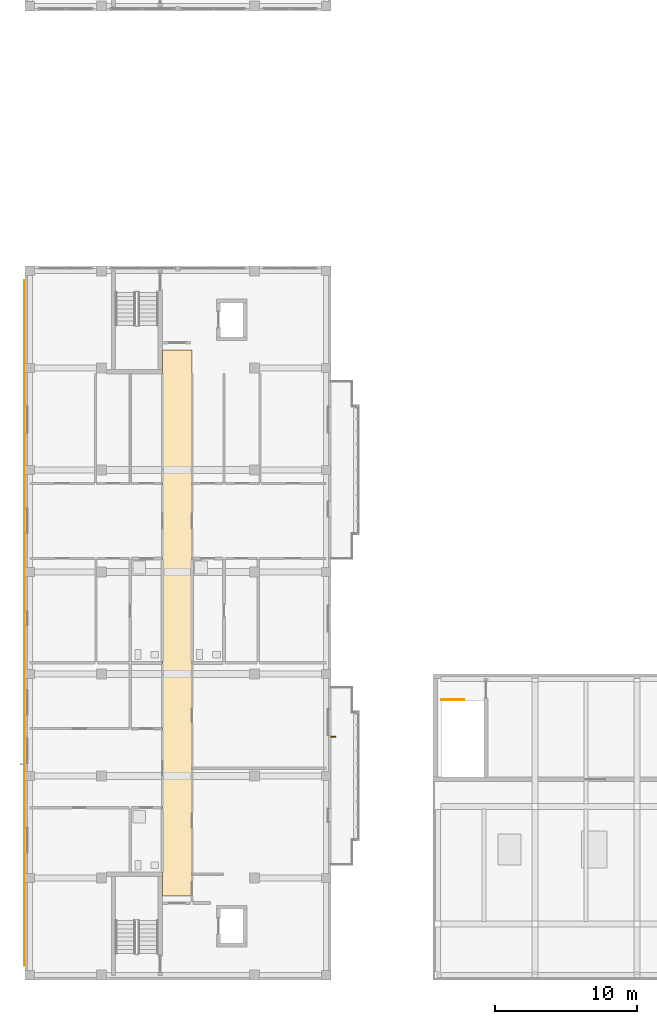
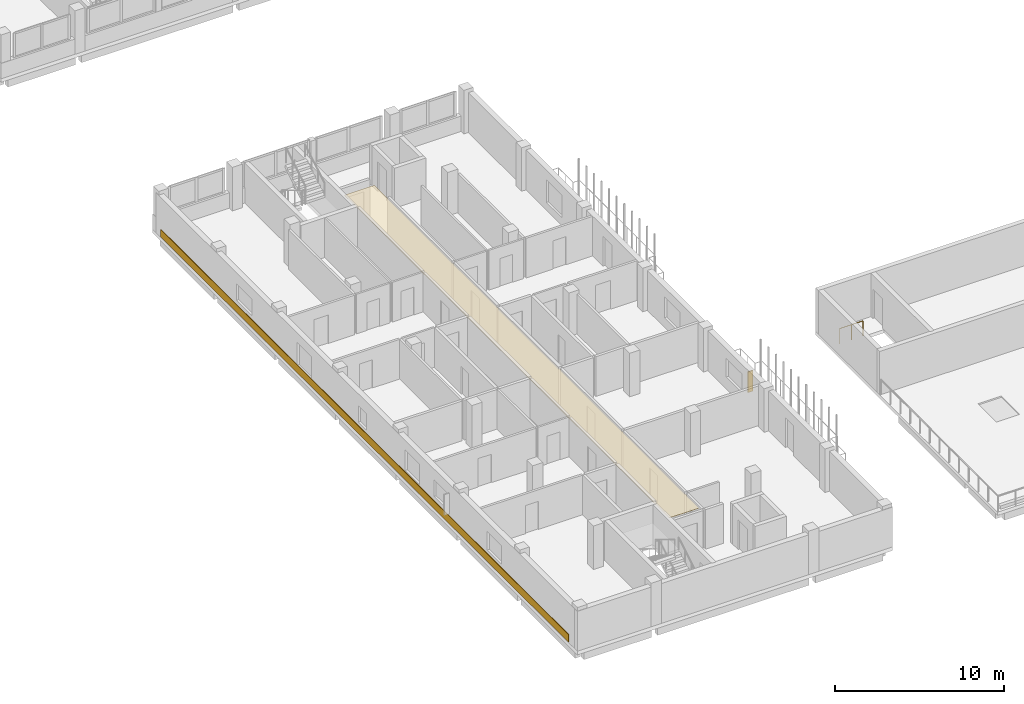
# One storey, part 43 of 56: 2 coverings, 1 railing, 1 shading device.
"""IFC4 building model written with IfcOpenShell, lengths in metres."""

from ifc_helpers import new_model, si_unit, derived_unit, direction, frame, origin, origin_2d, place, context, subcontext, project, spatial, polyline, rectangle, circle, outline, extrude, material, layer, layer_set, type_object, element, save


model = new_model("IFC4")

# Units and contexts
model_context = context("Model", 3, precision=1e-05, world=origin(), true_north=direction((0.0, 1.0)))
body_context = subcontext(model_context, "Body", "Model", "MODEL_VIEW")
ifc_project = project(units=[si_unit("LENGTHUNIT", "METRE"), si_unit("AREAUNIT", "SQUARE_METRE"), si_unit("VOLUMEUNIT", "CUBIC_METRE"), si_unit("PLANEANGLEUNIT", "RADIAN"), si_unit("MASSUNIT", "GRAM", prefix="KILO"), derived_unit("THERMALTRANSMITTANCEUNIT", [(si_unit("MASSUNIT", "GRAM", prefix="KILO"), 1), (si_unit("TIMEUNIT", "SECOND"), -3), (si_unit("THERMODYNAMICTEMPERATUREUNIT", "KELVIN"), -1)])], contexts=[model_context])

# Site, building, storey
site_placement = place(None, origin())
site = spatial("IfcSite", under=ifc_project, at=site_placement, CompositionType="ELEMENT")
building_placement = place(site_placement, origin())
building = spatial("IfcBuilding", under=site, at=building_placement, Name="Ochrekiln Boulevard Commons", CompositionType="ELEMENT")
storey_placement = place(building_placement, frame((0.0, 0.0, 12.074951171875)))
storey = spatial("IfcBuildingStorey", under=building, at=storey_placement, Name="L03", CompositionType="ELEMENT", Elevation=12.074951171875)

# Coverings
ifc_material_1 = material(Name="Mineral-fibre acoustic ceiling tile")
ifc_layer_1 = layer(ifc_material_1, 0.02490234375)
ifc_layer_set_1 = layer_set([ifc_layer_1], Name="Mineral-fibre acoustic ceiling tile")
covering_type_1 = type_object("IfcCoveringType", Name="COV-CEIL-AC", PredefinedType="CEILING", material=ifc_layer_set_1)
covering_1_placement = place(storey_placement, frame((0.0, 0.0, 2.650146484375)))
element("IfcCovering", 1, at=covering_1_placement, inside=storey, type_object=covering_type_1, Name="L03 Acoustic Corridor Ceiling 42", PredefinedType="CEILING", context=body_context, shape_type="SweptSolid", body=[
    extrude(outline(polyline([(9.719970703125, 5.919921875), (11.780029296875, 5.919921875), (11.780029296875, 44.47998046875), (9.719970703125, 44.47998046875), (9.719970703125, 5.919921875)])), origin(), (0.0, 0.0, 1.0), 0.02490234375),
])
ifc_material_2 = material(Name="Glazed architectural terracotta ASTM C1405", Category="masonry")
ifc_layer_2 = layer(ifc_material_2, 0.0400390625)
ifc_layer_set_2 = layer_set([ifc_layer_2], Name="Glazed architectural terracotta ASTM C1405")
covering_type_2 = type_object("IfcCoveringType", Name="COV-CLAD-TERRA", PredefinedType="CLADDING", material=ifc_layer_set_2)
covering_2_placement = place(storey_placement, frame((-0.02001953125, 25.199951171875, 0.0751953125), z_axis=(0.0, 0.0, 1.0), x_axis=(1.0, 0.0, 0.0)))
element("IfcCovering", 2, at=covering_2_placement, inside=storey, type_object=covering_type_2, Name="Block D L03 Glazed Terracotta Spandrel Band", PredefinedType="CLADDING", context=body_context, shape_type="SweptSolid", body=[
    extrude(rectangle(XDim=0.0400390625, YDim=48.39990234375, at=origin_2d()), origin(), (0.0, 0.0, 1.0), 0.550048828125),
])

# Railing
ifc_material_3 = material(Name="Brushed stainless steel 316 tubular railing", Category="steel")
railing_type = type_object("IfcRailingType", Name="RLG-STR-1120", PredefinedType="BALUSTRADE", material=ifc_material_3)
railing_placement = place(storey_placement, frame((29.39990234375, 19.780029296875, 0.0)))
element("IfcRailing", 3, at=railing_placement, inside=storey, type_object=railing_type, Name="L03 ST-W1 top well guard 1", PredefinedType="BALUSTRADE", context=body_context, shape_type="SweptSolid", body=[
    extrude(circle(Radius=0.02392578125, at=origin_2d()), frame((0.0, 0.0, 1.09619140625), z_axis=(1.0, 0.0, 0.0), x_axis=(0.0, 1.0, 0.0)), (0.0, 0.0, 1.0), 1.60009765625),
    extrude(circle(Radius=0.02099609375, at=origin_2d()), origin(), (0.0, 0.0, 1.0), 1.072021484375),
    extrude(circle(Radius=0.02099609375, at=origin_2d()), frame((0.800048828125, 0.0, 0.0)), (0.0, 0.0, 1.0), 1.072021484375),
    extrude(circle(Radius=0.02099609375, at=origin_2d()), frame((1.60009765625, 0.0, 0.0)), (0.0, 0.0, 1.0), 1.072021484375),
])

# Shading device
shading_device_type = type_object("IfcShadingDeviceType", Name="SHD-FIN-TERRA", PredefinedType="JALOUSIE", material=ifc_material_2)
shading_device_placement = place(storey_placement, frame((21.77001953125, 17.177978515625, 0.780029296875), z_axis=(0.0, 0.0, 1.0), x_axis=(1.0, 0.0, 0.0)))
element("IfcShadingDevice", 4, at=shading_device_placement, inside=storey, type_object=shading_device_type, Name="Terracotta Solar Shading Fin SF-01 (77)", PredefinedType="JALOUSIE", context=body_context, shape_type="SweptSolid", body=[
    extrude(rectangle(XDim=0.35009765625, YDim=0.080078125, at=origin_2d()), origin(), (0.0, 0.0, 1.0), 1.5),
])

save(model, "model.ifc")
